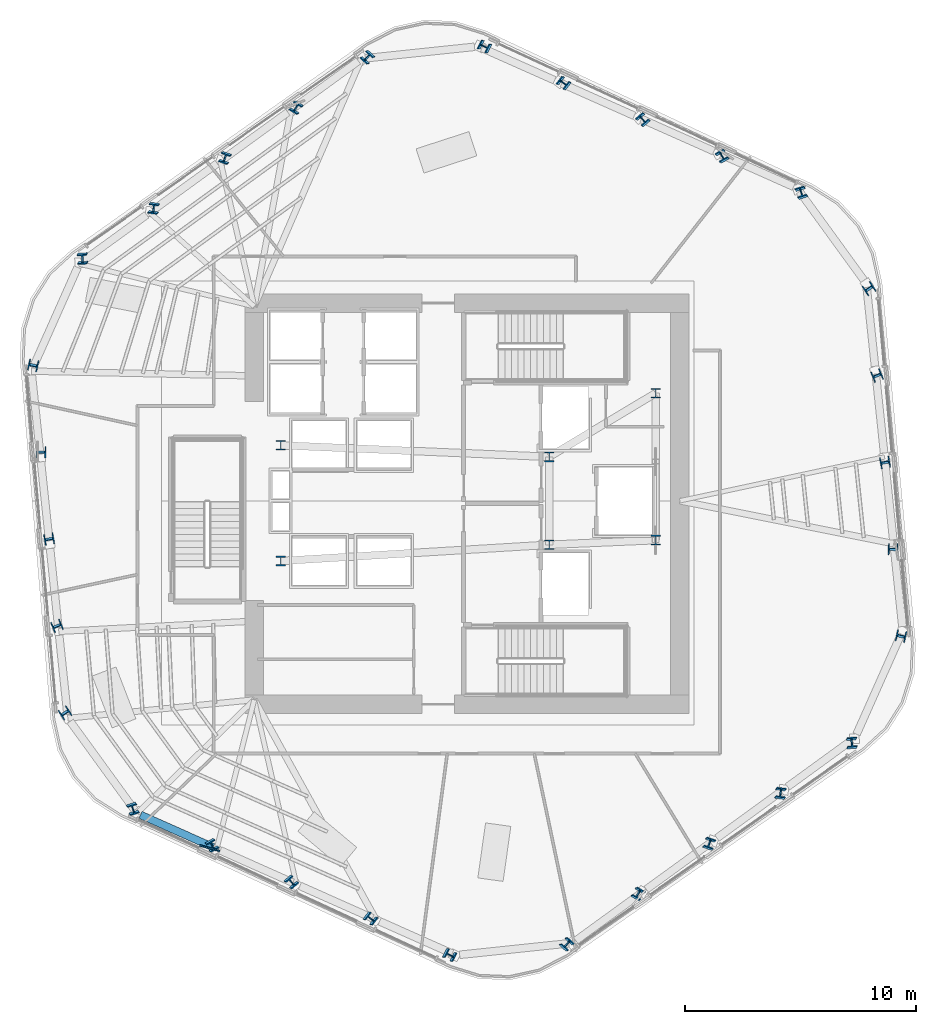
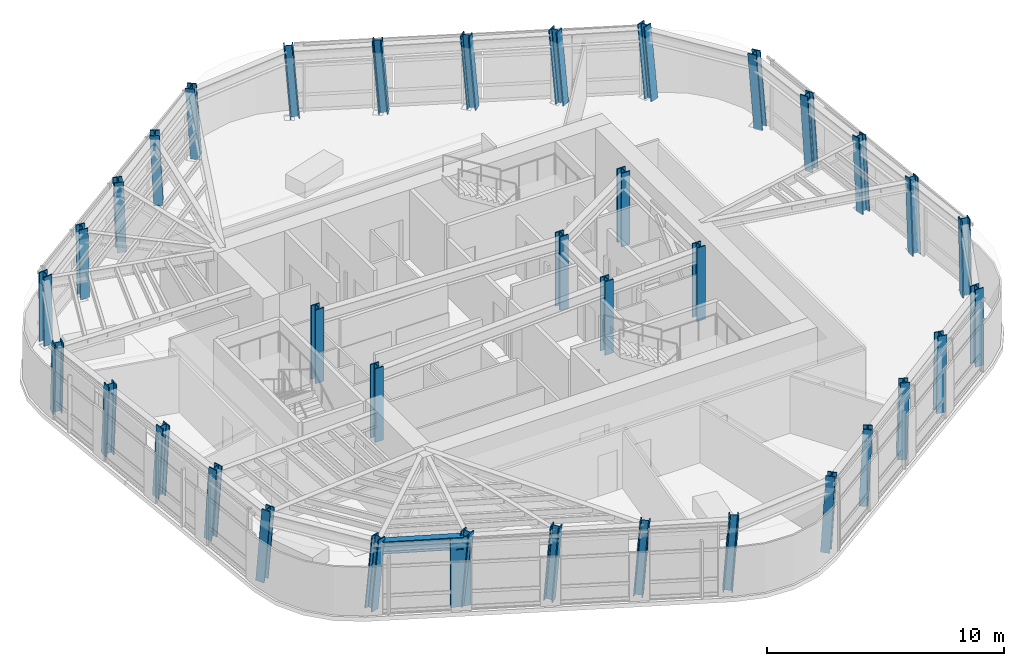
# One storey, part 1 of 14: 36 columns, 1 beam, 1 member.
"""IFC4 building model written with IfcOpenShell, lengths in metres."""

from ifc_helpers import new_model, si_unit, direction, frame, origin, origin_2d, place, context, subcontext, project, spatial, rectangle, i_section, extrude, material, material_profile, profile_set, type_object, element, save


model = new_model("IFC4")

# Units and contexts
model_context = context("Model", 3, precision=1e-05, world=origin(), true_north=direction((0.0, 1.0)))
body_context = subcontext(model_context, "Body", "Model", "MODEL_VIEW")
ifc_project = project(units=[si_unit("LENGTHUNIT", "METRE"), si_unit("AREAUNIT", "SQUARE_METRE"), si_unit("VOLUMEUNIT", "CUBIC_METRE"), si_unit("PLANEANGLEUNIT", "RADIAN"), si_unit("MASSUNIT", "GRAM", prefix="KILO")], contexts=[model_context])

# Site, building, storey
site_placement = place(None, origin())
site = spatial("IfcSite", under=ifc_project, at=site_placement, CompositionType="ELEMENT")
building_placement = place(site_placement, origin())
building = spatial("IfcBuilding", under=site, at=building_placement, Name="Valkerne Bourse Tower", CompositionType="ELEMENT")
storey_placement = place(building_placement, frame((0.0, 0.0, 174.199951171875)))
storey = spatial("IfcBuildingStorey", under=building, at=storey_placement, Name="L44", CompositionType="ELEMENT", Elevation=174.199951171875)

# Columns
ifc_material_1 = material(Name="Steel ASTM A913 Grade 65", Category="steel")
ifc_material_profile_1 = material_profile(ifc_material_1, i_section(OverallWidth=0.406494140625, OverallDepth=0.41650390625, WebThickness=0.02978515625, FlangeThickness=0.048095703125, FilletRadius=0.025390625, at=origin_2d()), Name="W14X257")
ifc_profile_set_1 = profile_set([ifc_material_profile_1], Name="Steel ASTM A913 Grade 65")
column_type_1 = type_object("IfcColumnType", Name="COL-W14X257", PredefinedType="COLUMN", material=ifc_profile_set_1)
column_1_placement = place(storey_placement, frame((61.27978515625, 40.28125, 0.010009765625), z_axis=(-0.055410853449, 0.059529662533, 0.996687441778), x_axis=(0.949848527265, 0.310829983117, 0.034241741305)))
element("IfcColumn", 1, at=column_1_placement, inside=storey, type_object=column_type_1, Name="L44 Helical Perimeter Tube Column F1-C1", PredefinedType="COLUMN", context=body_context, shape_type="SweptSolid", body=[
    extrude(i_section(OverallWidth=0.406494140625, OverallDepth=0.41650390625, WebThickness=0.02978515625, FlangeThickness=0.048095703125, FilletRadius=0.025390625, at=origin_2d()), origin(), (0.0, 0.0, 1.0), 3.79345703125),
])
column_2_placement = place(storey_placement, frame((57.859375, 41.868896484375, 0.010009765625), z_axis=(-0.061933230771, 0.045387658725, 0.99704775982), x_axis=(0.874763388998, 0.483470644667, 0.032328764494)))
element("IfcColumn", 2, at=column_2_placement, inside=storey, type_object=column_type_1, Name="L44 Helical Perimeter Tube Column F1-C2", PredefinedType="COLUMN", context=body_context, shape_type="SweptSolid", body=[
    extrude(i_section(OverallWidth=0.406494140625, OverallDepth=0.41650390625, WebThickness=0.02978515625, FlangeThickness=0.048095703125, FilletRadius=0.025390625, at=origin_2d()), origin(), (0.0, 0.0, 1.0), 3.792236328125),
])
column_3_placement = place(storey_placement, frame((54.43896484375, 43.456787109375, 0.010009765625), z_axis=(-0.068443975283, 0.031099191027, 0.997170127192), x_axis=(0.757457253773, 0.65211702836, 0.031652646482)))
element("IfcColumn", 3, at=column_3_placement, inside=storey, type_object=column_type_1, Name="L44 Helical Perimeter Tube Column F1-C3", PredefinedType="COLUMN", context=body_context, shape_type="SweptSolid", body=[
    extrude(i_section(OverallWidth=0.406494140625, OverallDepth=0.41650390625, WebThickness=0.02978515625, FlangeThickness=0.048095703125, FilletRadius=0.025390625, at=origin_2d()), origin(), (0.0, 0.0, 1.0), 3.791748046875),
])
column_4_placement = place(storey_placement, frame((51.0185546875, 45.04443359375, 0.010009765625), z_axis=(-0.074873736871, 0.016867514239, 0.997050355043), x_axis=(0.608873084539, 0.792609194566, 0.032314572761)))
element("IfcColumn", 4, at=column_4_placement, inside=storey, type_object=column_type_1, Name="L44 Helical Perimeter Tube Column F1-C4", PredefinedType="COLUMN", context=body_context, shape_type="SweptSolid", body=[
    extrude(i_section(OverallWidth=0.406494140625, OverallDepth=0.41650390625, WebThickness=0.02978515625, FlangeThickness=0.048095703125, FilletRadius=0.025390625, at=origin_2d()), origin(), (0.0, 0.0, 1.0), 3.792236328125),
])
column_5_placement = place(storey_placement, frame((47.597900390625, 46.632080078125, 0.010009765625), z_axis=(-0.081282125192, 0.002702968534, 0.996687468611), x_axis=(0.449555603502, 0.892595805499, 0.034241602854)))
element("IfcColumn", 5, at=column_5_placement, inside=storey, type_object=column_type_1, Name="L44 Helical Perimeter Tube Column F1-C5", PredefinedType="COLUMN", context=body_context, shape_type="SweptSolid", body=[
    extrude(i_section(OverallWidth=0.406494140625, OverallDepth=0.41650390625, WebThickness=0.02978515625, FlangeThickness=0.048095703125, FilletRadius=0.025390625, at=origin_2d()), origin(), (0.0, 0.0, 1.0), 3.79345703125),
])
column_6_placement = place(storey_placement, frame((42.5380859375, 46.1806640625, 0.010009765625), z_axis=(-0.079286822983, -0.018277157246, 0.996684275598), x_axis=(-0.742232556828, 0.668507220408, -0.046785979171)))
element("IfcColumn", 6, at=column_6_placement, inside=storey, type_object=column_type_1, Name="L44 Helical Perimeter Tube Column F2-C1", PredefinedType="COLUMN", context=body_context, shape_type="SweptSolid", body=[
    extrude(i_section(OverallWidth=0.406494140625, OverallDepth=0.41650390625, WebThickness=0.02978515625, FlangeThickness=0.048095703125, FilletRadius=0.025390625, at=origin_2d()), origin(), (0.0, 0.0, 1.0), 3.793701171875),
])
column_7_placement = place(storey_placement, frame((39.452880859375, 44.01220703125, 0.010009765625), z_axis=(-0.070238327001, -0.030966668458, 0.997049468615), x_axis=(-0.854640031915, 0.517341492325, -0.044138375219)))
element("IfcColumn", 7, at=column_7_placement, inside=storey, type_object=column_type_1, Name="L44 Helical Perimeter Tube Column F2-C2", PredefinedType="COLUMN", context=body_context, shape_type="SweptSolid", body=[
    extrude(i_section(OverallWidth=0.406494140625, OverallDepth=0.41650390625, WebThickness=0.02978515625, FlangeThickness=0.048095703125, FilletRadius=0.025390625, at=origin_2d()), origin(), (0.0, 0.0, 1.0), 3.792236328125),
])
column_8_placement = place(storey_placement, frame((36.367431640625, 41.843994140625, 0.010009765625), z_axis=(-0.061103998235, -0.043719299053, 0.997173467502), x_axis=(-0.942383028376, 0.331734518217, -0.043202282951)))
element("IfcColumn", 8, at=column_8_placement, inside=storey, type_object=column_type_1, Name="L44 Helical Perimeter Tube Column F2-C3", PredefinedType="COLUMN", context=body_context, shape_type="SweptSolid", body=[
    extrude(i_section(OverallWidth=0.406494140625, OverallDepth=0.41650390625, WebThickness=0.02978515625, FlangeThickness=0.048095703125, FilletRadius=0.025390625, at=origin_2d()), origin(), (0.0, 0.0, 1.0), 3.791748046875),
])
column_9_placement = place(storey_placement, frame((33.2822265625, 39.675537109375, 0.010009765625), z_axis=(-0.052019003767, -0.056396840718, 0.997052365528), x_axis=(-0.990094877047, 0.133288590087, -0.04411673376)))
element("IfcColumn", 9, at=column_9_placement, inside=storey, type_object=column_type_1, Name="L44 Helical Perimeter Tube Column F2-C4", PredefinedType="COLUMN", context=body_context, shape_type="SweptSolid", body=[
    extrude(i_section(OverallWidth=0.406494140625, OverallDepth=0.41650390625, WebThickness=0.02978515625, FlangeThickness=0.048095703125, FilletRadius=0.025390625, at=origin_2d()), origin(), (0.0, 0.0, 1.0), 3.792236328125),
])
column_10_placement = place(storey_placement, frame((30.197021484375, 37.507080078125, 0.010009765625), z_axis=(-0.04292577813, -0.069054512644, 0.996688944383), x_axis=(-0.997402321037, -0.054797437943, -0.046753083169)))
element("IfcColumn", 10, at=column_10_placement, inside=storey, type_object=column_type_1, Name="L44 Helical Perimeter Tube Column F2-C5", PredefinedType="COLUMN", context=body_context, shape_type="SweptSolid", body=[
    extrude(i_section(OverallWidth=0.406494140625, OverallDepth=0.41650390625, WebThickness=0.02978515625, FlangeThickness=0.048095703125, FilletRadius=0.025390625, at=origin_2d()), origin(), (0.0, 0.0, 1.0), 3.79345703125),
])
column_11_placement = place(storey_placement, frame((28.05810546875, 32.8994140625, 0.010009765625), z_axis=(-0.023811784389, -0.077806614397, 0.996684067135), x_axis=(-0.205512670565, -0.975292772111, -0.08104659712)))
element("IfcColumn", 11, at=column_11_placement, inside=storey, type_object=column_type_1, Name="L44 Helical Perimeter Tube Column F3-C1", PredefinedType="COLUMN", context=body_context, shape_type="SweptSolid", body=[
    extrude(i_section(OverallWidth=0.406494140625, OverallDepth=0.41650390625, WebThickness=0.02978515625, FlangeThickness=0.048095703125, FilletRadius=0.025390625, at=origin_2d()), origin(), (0.0, 0.0, 1.0), 3.793701171875),
])
column_12_placement = place(storey_placement, frame((28.393310546875, 29.143310546875, 0.010009765625), z_axis=(-0.008240627958, -0.076290188522, 0.997051603071), x_axis=(-0.018271449932, -0.996907509366, -0.076430176547)))
element("IfcColumn", 12, at=column_12_placement, inside=storey, type_object=column_type_1, Name="L44 Helical Perimeter Tube Column F3-C2", PredefinedType="COLUMN", context=body_context, shape_type="SweptSolid", body=[
    extrude(i_section(OverallWidth=0.406494140625, OverallDepth=0.41650390625, WebThickness=0.02978515625, FlangeThickness=0.048095703125, FilletRadius=0.025390625, at=origin_2d()), origin(), (0.0, 0.0, 1.0), 3.792236328125),
])
column_13_placement = place(storey_placement, frame((28.728515625, 25.38720703125, 0.010009765625), z_axis=(0.007275797869, -0.074818381627, 0.997170633611), x_axis=(0.184610518343, -0.97995555114, -0.074873722412)))
element("IfcColumn", 13, at=column_13_placement, inside=storey, type_object=column_type_1, Name="L44 Helical Perimeter Tube Column F3-C3", PredefinedType="COLUMN", context=body_context, shape_type="SweptSolid", body=[
    extrude(i_section(OverallWidth=0.406494140625, OverallDepth=0.41650390625, WebThickness=0.02978515625, FlangeThickness=0.048095703125, FilletRadius=0.025390625, at=origin_2d()), origin(), (0.0, 0.0, 1.0), 3.791748046875),
])
column_14_placement = place(storey_placement, frame((29.063720703125, 21.631103515625, 0.010009765625), z_axis=(0.022854844816, -0.073264263101, 0.997050652585), x_axis=(0.380604603872, -0.921572939727, -0.076442476902)))
element("IfcColumn", 14, at=column_14_placement, inside=storey, type_object=column_type_1, Name="L44 Helical Perimeter Tube Column F3-C4", PredefinedType="COLUMN", context=body_context, shape_type="SweptSolid", body=[
    extrude(i_section(OverallWidth=0.406494140625, OverallDepth=0.41650390625, WebThickness=0.02978515625, FlangeThickness=0.048095703125, FilletRadius=0.025390625, at=origin_2d()), origin(), (0.0, 0.0, 1.0), 3.792236328125),
])
for number, where, z_axis, x_axis, name in (
    (15, (29.39892578125, 17.875, 0.010009765625), (0.03835629084, -0.071757154842, 0.996684356094), (0.546383161046, -0.833605099475, -0.081043071602), "L44 Helical Perimeter Tube Column F3-C5"),
    (16, (32.320068359375, 13.71875, 0.010009765625), (0.055475011901, -0.059529450125, 0.996683885504), (0.949667402101, 0.311380911214, -0.034260086378), "L44 Helical Perimeter Tube Column F4-C1"),
):
    element("IfcColumn", number, at=place(storey_placement, frame(where, z_axis=z_axis, x_axis=x_axis)), inside=storey, type_object=column_type_1, Name=name, PredefinedType="COLUMN", context=body_context, shape_type="SweptSolid", body=[
        extrude(i_section(OverallWidth=0.406494140625, OverallDepth=0.41650390625, WebThickness=0.02978515625, FlangeThickness=0.048095703125, FilletRadius=0.025390625, at=origin_2d()), origin(), (0.0, 0.0, 1.0), 3.793701171875),
    ])
column_15_placement = place(storey_placement, frame((35.740478515625, 12.131103515625, 0.010009765625), z_axis=(0.061997363102, -0.04538747766, 0.997043782308), x_axis=(0.874522476075, 0.483904829275, -0.032350502991)))
element("IfcColumn", 17, at=column_15_placement, inside=storey, type_object=column_type_1, Name="L44 Helical Perimeter Tube Column F4-C2", PredefinedType="COLUMN", context=body_context, shape_type="SweptSolid", body=[
    extrude(i_section(OverallWidth=0.406494140625, OverallDepth=0.41650390625, WebThickness=0.02978515625, FlangeThickness=0.048095703125, FilletRadius=0.025390625, at=origin_2d()), origin(), (0.0, 0.0, 1.0), 3.792236328125),
])
column_16_placement = place(storey_placement, frame((39.160888671875, 10.543212890625, 0.010009765625), z_axis=(0.068443975283, -0.031099191027, 0.997170127192), x_axis=(0.757457253773, 0.65211702836, -0.031652646482)))
element("IfcColumn", 18, at=column_16_placement, inside=storey, type_object=column_type_1, Name="L44 Helical Perimeter Tube Column F4-C3", PredefinedType="COLUMN", context=body_context, shape_type="SweptSolid", body=[
    extrude(i_section(OverallWidth=0.406494140625, OverallDepth=0.41650390625, WebThickness=0.02978515625, FlangeThickness=0.048095703125, FilletRadius=0.025390625, at=origin_2d()), origin(), (0.0, 0.0, 1.0), 3.791748046875),
])
column_17_placement = place(storey_placement, frame((42.58154296875, 8.95556640625, 0.010009765625), z_axis=(0.074873736871, -0.016867514239, 0.997050355043), x_axis=(0.608873084539, 0.792609194566, -0.032314572761)))
element("IfcColumn", 19, at=column_17_placement, inside=storey, type_object=column_type_1, Name="L44 Helical Perimeter Tube Column F4-C4", PredefinedType="COLUMN", context=body_context, shape_type="SweptSolid", body=[
    extrude(i_section(OverallWidth=0.406494140625, OverallDepth=0.41650390625, WebThickness=0.02978515625, FlangeThickness=0.048095703125, FilletRadius=0.025390625, at=origin_2d()), origin(), (0.0, 0.0, 1.0), 3.792236328125),
])
column_18_placement = place(storey_placement, frame((46.001953125, 7.367919921875, 0.010009765625), z_axis=(0.081282125192, -0.002702968534, 0.996687468611), x_axis=(0.449555603502, 0.892595805499, -0.034241602854)))
element("IfcColumn", 20, at=column_18_placement, inside=storey, type_object=column_type_1, Name="L44 Helical Perimeter Tube Column F4-C5", PredefinedType="COLUMN", context=body_context, shape_type="SweptSolid", body=[
    extrude(i_section(OverallWidth=0.406494140625, OverallDepth=0.41650390625, WebThickness=0.02978515625, FlangeThickness=0.048095703125, FilletRadius=0.025390625, at=origin_2d()), origin(), (0.0, 0.0, 1.0), 3.79345703125),
])
column_19_placement = place(storey_placement, frame((51.06201171875, 7.8193359375, 0.010009765625), z_axis=(0.079286822983, 0.018277157246, 0.996684275598), x_axis=(-0.742232556828, 0.668507220408, 0.046785979171)))
element("IfcColumn", 21, at=column_19_placement, inside=storey, type_object=column_type_1, Name="L44 Helical Perimeter Tube Column F5-C1", PredefinedType="COLUMN", context=body_context, shape_type="SweptSolid", body=[
    extrude(i_section(OverallWidth=0.406494140625, OverallDepth=0.41650390625, WebThickness=0.02978515625, FlangeThickness=0.048095703125, FilletRadius=0.025390625, at=origin_2d()), origin(), (0.0, 0.0, 1.0), 3.793701171875),
])
column_20_placement = place(storey_placement, frame((54.147216796875, 9.98779296875, 0.010009765625), z_axis=(0.070238327001, 0.030966668458, 0.997049468615), x_axis=(-0.854640031915, 0.517341492325, 0.044138375219)))
element("IfcColumn", 22, at=column_20_placement, inside=storey, type_object=column_type_1, Name="L44 Helical Perimeter Tube Column F5-C2", PredefinedType="COLUMN", context=body_context, shape_type="SweptSolid", body=[
    extrude(i_section(OverallWidth=0.406494140625, OverallDepth=0.41650390625, WebThickness=0.02978515625, FlangeThickness=0.048095703125, FilletRadius=0.025390625, at=origin_2d()), origin(), (0.0, 0.0, 1.0), 3.792236328125),
])
column_21_placement = place(storey_placement, frame((57.232421875, 12.156005859375, 0.010009765625), z_axis=(0.061168145226, 0.043719126956, 0.997169542228), x_axis=(-0.942215766744, 0.332205393326, 0.043232228084)))
element("IfcColumn", 23, at=column_21_placement, inside=storey, type_object=column_type_1, Name="L44 Helical Perimeter Tube Column F5-C3", PredefinedType="COLUMN", context=body_context, shape_type="SweptSolid", body=[
    extrude(i_section(OverallWidth=0.406494140625, OverallDepth=0.41650390625, WebThickness=0.02978515625, FlangeThickness=0.048095703125, FilletRadius=0.025390625, at=origin_2d()), origin(), (0.0, 0.0, 1.0), 3.791748046875),
])
column_22_placement = place(storey_placement, frame((60.317626953125, 14.324462890625, 0.010009765625), z_axis=(0.052083209189, 0.05639665173, 0.997049024368), x_axis=(-0.990011220228, 0.133900316505, 0.044141693027)))
element("IfcColumn", 24, at=column_22_placement, inside=storey, type_object=column_type_1, Name="L44 Helical Perimeter Tube Column F5-C4", PredefinedType="COLUMN", context=body_context, shape_type="SweptSolid", body=[
    extrude(i_section(OverallWidth=0.406494140625, OverallDepth=0.41650390625, WebThickness=0.02978515625, FlangeThickness=0.048095703125, FilletRadius=0.025390625, at=origin_2d()), origin(), (0.0, 0.0, 1.0), 3.792236328125),
])
column_23_placement = place(storey_placement, frame((63.40283203125, 16.492919921875, 0.010009765625), z_axis=(0.042990015768, 0.069054321735, 0.996686188925), x_axis=(-0.997438078719, -0.054125892973, 0.046772500791)))
element("IfcColumn", 25, at=column_23_placement, inside=storey, type_object=column_type_1, Name="L44 Helical Perimeter Tube Column F5-C5", PredefinedType="COLUMN", context=body_context, shape_type="SweptSolid", body=[
    extrude(i_section(OverallWidth=0.406494140625, OverallDepth=0.41650390625, WebThickness=0.02978515625, FlangeThickness=0.048095703125, FilletRadius=0.025390625, at=origin_2d()), origin(), (0.0, 0.0, 1.0), 3.79345703125),
])
column_24_placement = place(storey_placement, frame((65.541748046875, 21.1005859375, 0.010009765625), z_axis=(0.023811784389, 0.077806614397, 0.996684067135), x_axis=(-0.205512670565, -0.975292772111, 0.08104659712)))
element("IfcColumn", 26, at=column_24_placement, inside=storey, type_object=column_type_1, Name="L44 Helical Perimeter Tube Column F6-C1", PredefinedType="COLUMN", context=body_context, shape_type="SweptSolid", body=[
    extrude(i_section(OverallWidth=0.406494140625, OverallDepth=0.41650390625, WebThickness=0.02978515625, FlangeThickness=0.048095703125, FilletRadius=0.025390625, at=origin_2d()), origin(), (0.0, 0.0, 1.0), 3.793701171875),
])
column_25_placement = place(storey_placement, frame((65.20654296875, 24.856689453125, 0.010009765625), z_axis=(0.008305003441, 0.07629014789, 0.997051072038), x_axis=(-0.019102880825, -0.99689139704, 0.076437048952)))
element("IfcColumn", 27, at=column_25_placement, inside=storey, type_object=column_type_1, Name="L44 Helical Perimeter Tube Column F6-C2", PredefinedType="COLUMN", context=body_context, shape_type="SweptSolid", body=[
    extrude(i_section(OverallWidth=0.406494140625, OverallDepth=0.41650390625, WebThickness=0.02978515625, FlangeThickness=0.048095703125, FilletRadius=0.025390625, at=origin_2d()), origin(), (0.0, 0.0, 1.0), 3.792236328125),
])
column_26_placement = place(storey_placement, frame((64.871337890625, 28.61279296875, 0.010009765625), z_axis=(-0.007275797869, 0.074818381627, 0.997170633611), x_axis=(0.184610518343, -0.97995555114, 0.074873722412)))
element("IfcColumn", 28, at=column_26_placement, inside=storey, type_object=column_type_1, Name="L44 Helical Perimeter Tube Column F6-C3", PredefinedType="COLUMN", context=body_context, shape_type="SweptSolid", body=[
    extrude(i_section(OverallWidth=0.406494140625, OverallDepth=0.41650390625, WebThickness=0.02978515625, FlangeThickness=0.048095703125, FilletRadius=0.025390625, at=origin_2d()), origin(), (0.0, 0.0, 1.0), 3.791748046875),
])
column_27_placement = place(storey_placement, frame((64.5361328125, 32.368896484375, 0.010009765625), z_axis=(-0.022790498458, 0.07326437075, 0.997052117574), x_axis=(0.379866730266, -0.921878903769, 0.076423517467)))
element("IfcColumn", 29, at=column_27_placement, inside=storey, type_object=column_type_1, Name="L44 Helical Perimeter Tube Column F6-C4", PredefinedType="COLUMN", context=body_context, shape_type="SweptSolid", body=[
    extrude(i_section(OverallWidth=0.406494140625, OverallDepth=0.41650390625, WebThickness=0.02978515625, FlangeThickness=0.048095703125, FilletRadius=0.025390625, at=origin_2d()), origin(), (0.0, 0.0, 1.0), 3.792236328125),
])
column_28_placement = place(storey_placement, frame((64.200927734375, 36.125, 0.010009765625), z_axis=(-0.03835629084, 0.071757154842, 0.996684356094), x_axis=(0.546383161046, -0.833605099475, 0.081043071602)))
element("IfcColumn", 30, at=column_28_placement, inside=storey, type_object=column_type_1, Name="L44 Helical Perimeter Tube Column F6-C5", PredefinedType="COLUMN", context=body_context, shape_type="SweptSolid", body=[
    extrude(i_section(OverallWidth=0.406494140625, OverallDepth=0.41650390625, WebThickness=0.02978515625, FlangeThickness=0.048095703125, FilletRadius=0.025390625, at=origin_2d()), origin(), (0.0, 0.0, 1.0), 3.793701171875),
])
ifc_material_profile_2 = material_profile(ifc_material_1, i_section(OverallWidth=0.408935546875, OverallDepth=0.42431640625, WebThickness=0.03271484375, FlangeThickness=0.052490234375, FilletRadius=0.025390625, at=origin_2d()), Name="W14X283")
ifc_profile_set_2 = profile_set([ifc_material_profile_2], Name="Steel ASTM A913 Grade 65")
column_type_2 = type_object("IfcColumnType", Name="COL-W14X283", PredefinedType="COLUMN", material=ifc_profile_set_2)
for number, where, z_axis, x_axis, name in (
    (31, (38.75, 24.39990234375, 0.005126953125), (0.0, 0.0, 1.0), (1.0, 0.0, 0.0), "L44 Core Frame Column CC-SW"),
    (32, (38.75, 29.39990234375, 0.005126953125), (0.0, 0.0, 1.0), (1.0, 0.0, 0.0), "L44 Core Frame Column CC-NW"),
    (33, (50.35009765625, 25.10009765625, 0.005126953125), (0.0, 0.0, 1.0), (1.0, 0.0, 0.0), "L44 Core Frame Column CC-CE1"),
    (34, (50.35009765625, 28.89990234375, 0.005126953125), (0.0, 0.0, 1.0), (1.0, 0.0, 0.0), "L44 Core Frame Column CC-CE2"),
    (35, (54.949951171875, 25.300048828125, 0.005126953125), (0.0, 0.0, 1.0), (1.0, 0.0, 0.0), "L44 Core Frame Column CC-SE"),
    (36, (54.949951171875, 31.64990234375, 0.005126953125), (0.0, 0.0, 1.0), (1.0, 0.0, 0.0), "L44 Core Frame Column CC-NE"),
):
    element("IfcColumn", number, at=place(storey_placement, frame(where, z_axis=z_axis, x_axis=x_axis)), inside=storey, type_object=column_type_2, Name=name, PredefinedType="COLUMN", context=body_context, shape_type="SweptSolid", body=[
        extrude(i_section(OverallWidth=0.408935546875, OverallDepth=0.42431640625, WebThickness=0.03271484375, FlangeThickness=0.052490234375, FilletRadius=0.025390625, at=origin_2d()), origin(), (0.0, 0.0, 1.0), 3.794921875),
    ])

# Beam
ifc_material_2 = material(Name="Steel ASTM A992", Category="steel")
ifc_material_profile_3 = material_profile(ifc_material_2, i_section(OverallWidth=0.32763671875, OverallDepth=0.62744140625, WebThickness=0.0166015625, FlangeThickness=0.027587890625, FilletRadius=0.020263671875, at=origin_2d()), Name="W24X146")
ifc_profile_set_3 = profile_set([ifc_material_profile_3], Name="Steel ASTM A992")
beam_type = type_object("IfcBeamType", Name="BM-W24X146", PredefinedType="SPANDREL", material=ifc_profile_set_3)
beam_placement = place(storey_placement, frame((32.685791015625, 13.423828125, 3.266357421875), z_axis=(0.913553153644, -0.406719357133, 0.0), x_axis=(0.406719357133, 0.913553153644, 0.0)))
element("IfcBeam", 37, at=beam_placement, inside=storey, type_object=beam_type, Name="L44 Hexagonal Spandrel Ring Beam 15", PredefinedType="SPANDREL", context=body_context, shape_type="SweptSolid", body=[
    extrude(i_section(OverallWidth=0.32763671875, OverallDepth=0.62744140625, WebThickness=0.0166015625, FlangeThickness=0.027587890625, FilletRadius=0.020263671875, at=origin_2d()), origin(), (0.0, 0.0, 1.0), 3.43115234375),
])

# Member
ifc_material_3 = material(Name="Bronze Anodised Aluminium AA 6063-T6", Category="aluminium")
ifc_material_profile_4 = material_profile(ifc_material_3, rectangle(XDim=0.070068359375, YDim=0.89990234375, at=origin_2d()), Name="FIN-70X900")
ifc_profile_set_4 = profile_set([ifc_material_profile_4], Name="Bronze Anodised Aluminium AA 6063-T6")
member_type = type_object("IfcMemberType", Name="FIN-SOLAR-900", PredefinedType="USERDEFINED", material=ifc_profile_set_4)
member_placement = place(storey_placement, frame((35.673095703125, 11.98583984375, 0.004150390625), z_axis=(0.0, 0.0, 1.0), x_axis=(-0.270546653046, -0.962706865315, 0.0)))
element("IfcMember", 38, at=member_placement, inside=storey, type_object=member_type, Name="L44 Bronze Anodised Solar Fin F4-01", ObjectType="SOLAR_FIN", PredefinedType="USERDEFINED", context=body_context, shape_type="SweptSolid", body=[
    extrude(rectangle(XDim=0.070068359375, YDim=0.89990234375, at=origin_2d()), origin(), (0.0, 0.0, 1.0), 3.57177734375),
])

save(model, "model.ifc")
